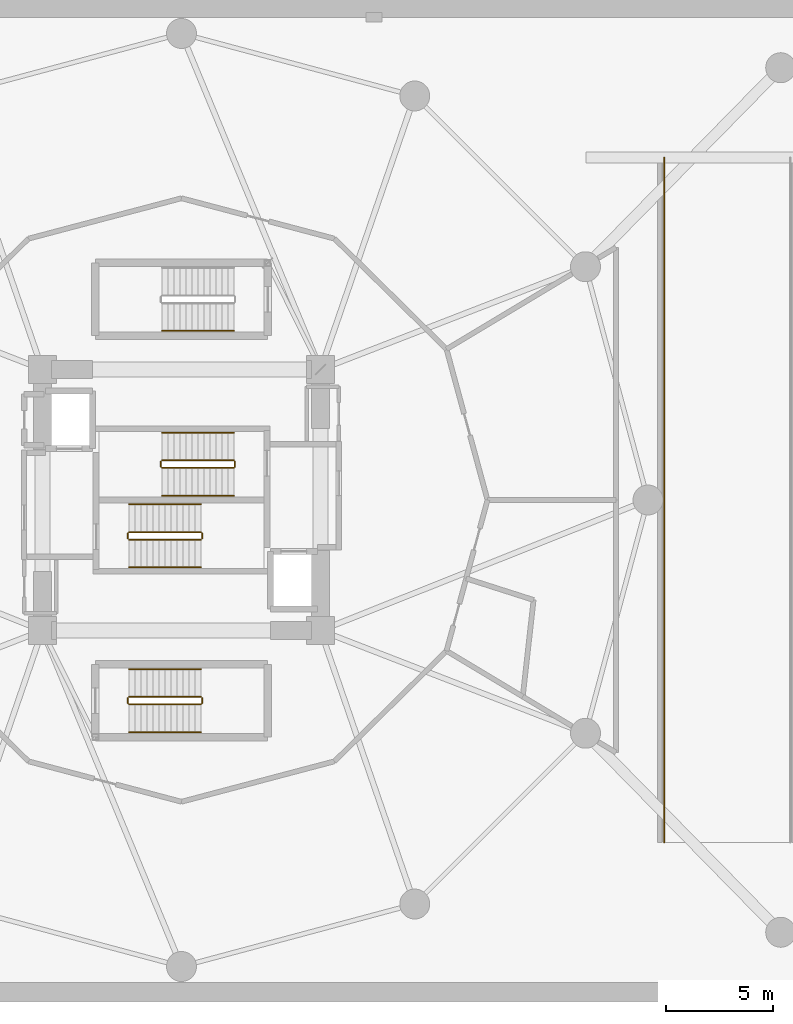
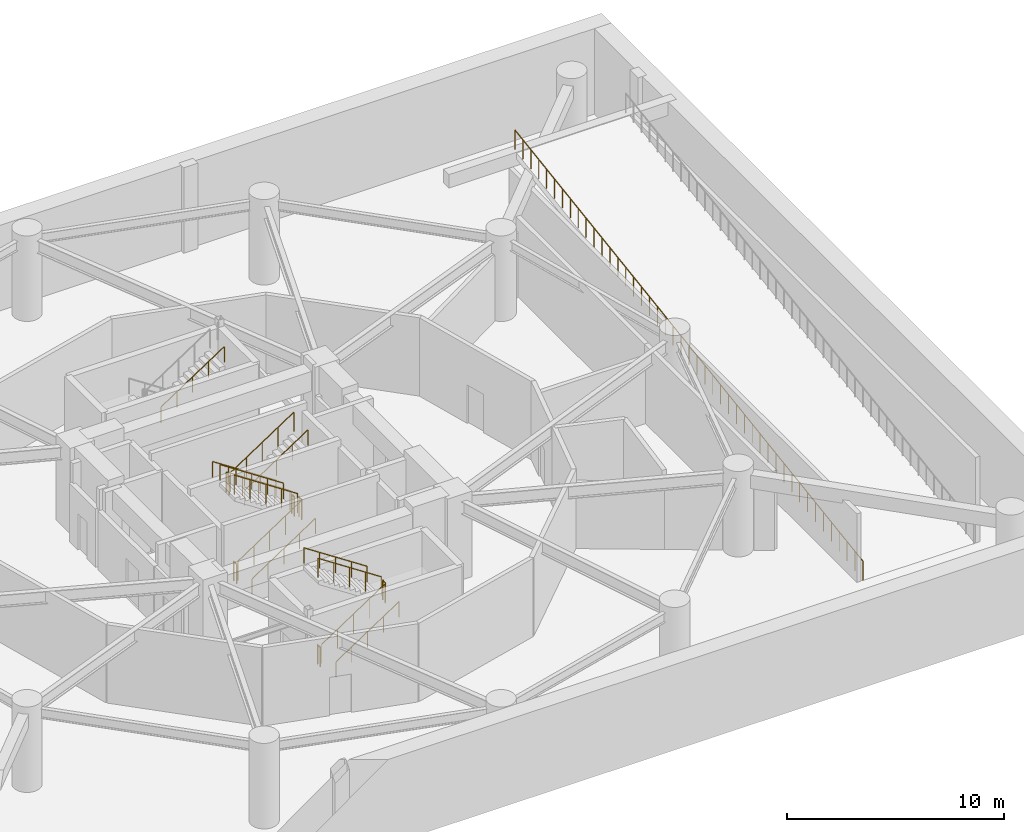
# One storey, part 9 of 10: 20 railings.
"""IFC4 building model written with IfcOpenShell, lengths in metres."""

from ifc_helpers import new_model, si_unit, direction, frame, origin, origin_2d, place, context, subcontext, project, spatial, circle, extrude, material, type_object, element, save


model = new_model("IFC4")

# Units and contexts
model_context = context("Model", 3, precision=1e-05, world=origin(), true_north=direction((0.0, 1.0)))
body_context = subcontext(model_context, "Body", "Model", "MODEL_VIEW")
ifc_project = project(units=[si_unit("LENGTHUNIT", "METRE"), si_unit("AREAUNIT", "SQUARE_METRE"), si_unit("VOLUMEUNIT", "CUBIC_METRE"), si_unit("PLANEANGLEUNIT", "RADIAN"), si_unit("MASSUNIT", "GRAM", prefix="KILO")], contexts=[model_context])

# Site, building, storey
site_placement = place(None, origin())
site = spatial("IfcSite", under=ifc_project, at=site_placement, CompositionType="ELEMENT")
building_placement = place(site_placement, origin())
building = spatial("IfcBuilding", under=site, at=building_placement, Name="Solvirekh Grand Hotel", CompositionType="ELEMENT")
storey_placement = place(building_placement, frame((0.0, 0.0, -4.800048828125)))
storey = spatial("IfcBuildingStorey", under=building, at=storey_placement, Name="B01", CompositionType="ELEMENT", Elevation=-4.800048828125)

# Railings
ifc_material_1 = material(Name="Steel S355", Category="steel")
railing_type_1 = type_object("IfcRailingType", Name="Guard_Stair_1100", PredefinedType="GUARDRAIL", material=ifc_material_1)
railing_1_placement = place(storey_placement, frame((22.56005859375, -16.0, 0.0)))
element("IfcRailing", 1, at=railing_1_placement, inside=storey, type_object=railing_type_1, Name="B01 vehicle ramp R2 W edge safety guardrail", PredefinedType="GUARDRAIL", context=body_context, shape_type="SweptSolid", body=[
    extrude(circle(Radius=0.02392578125, at=origin_2d()), frame((0.0, 0.0, 1.076171875), z_axis=(0.0, 0.988935024618, 0.148349307663), x_axis=(-1.0, 0.0, 0.0)), (0.0, 0.0, 1.0), 16.178955078125),
    extrude(circle(Radius=0.02392578125, at=origin_2d()), frame((0.0, 16.0, 3.47607421875), z_axis=(0.0, 0.988937238327, 0.148334549755), x_axis=(-1.0, 0.0, 0.0)), (0.0, 0.0, 1.0), 16.178955078125),
    extrude(circle(Radius=0.02099609375, at=origin_2d()), origin(), (0.0, 0.0, 1.0), 1.052001953125),
    extrude(circle(Radius=0.02099609375, at=origin_2d()), frame((0.0, 0.727294921875, 0.109130859375)), (0.0, 0.0, 1.0), 1.052001953125),
    extrude(circle(Radius=0.02099609375, at=origin_2d()), frame((0.0, 1.45458984375, 0.21826171875)), (0.0, 0.0, 1.0), 1.052001953125),
    extrude(circle(Radius=0.02099609375, at=origin_2d()), frame((0.0, 2.181884765625, 0.327392578125)), (0.0, 0.0, 1.0), 1.052001953125),
    extrude(circle(Radius=0.02099609375, at=origin_2d()), frame((0.0, 2.9091796875, 0.436279296875)), (0.0, 0.0, 1.0), 1.052001953125),
    extrude(circle(Radius=0.02099609375, at=origin_2d()), frame((0.0, 3.636474609375, 0.54541015625)), (0.0, 0.0, 1.0), 1.052001953125),
    extrude(circle(Radius=0.02099609375, at=origin_2d()), frame((0.0, 4.363525390625, 0.654541015625)), (0.0, 0.0, 1.0), 1.052001953125),
    extrude(circle(Radius=0.02099609375, at=origin_2d()), frame((0.0, 5.0908203125, 0.763671875)), (0.0, 0.0, 1.0), 1.052001953125),
    extrude(circle(Radius=0.02099609375, at=origin_2d()), frame((0.0, 5.818115234375, 0.872802734375)), (0.0, 0.0, 1.0), 1.052001953125),
    extrude(circle(Radius=0.02099609375, at=origin_2d()), frame((0.0, 6.54541015625, 0.98193359375)), (0.0, 0.0, 1.0), 1.052001953125),
    extrude(circle(Radius=0.02099609375, at=origin_2d()), frame((0.0, 7.272705078125, 1.091064453125)), (0.0, 0.0, 1.0), 1.052001953125),
    extrude(circle(Radius=0.02099609375, at=origin_2d()), frame((0.0, 8.0, 1.2001953125)), (0.0, 0.0, 1.0), 1.052001953125),
    extrude(circle(Radius=0.02099609375, at=origin_2d()), frame((0.0, 8.727294921875, 1.30908203125)), (0.0, 0.0, 1.0), 1.052001953125),
    extrude(circle(Radius=0.02099609375, at=origin_2d()), frame((0.0, 9.45458984375, 1.418212890625)), (0.0, 0.0, 1.0), 1.052001953125),
    extrude(circle(Radius=0.02099609375, at=origin_2d()), frame((0.0, 10.181884765625, 1.52734375)), (0.0, 0.0, 1.0), 1.052001953125),
    extrude(circle(Radius=0.02099609375, at=origin_2d()), frame((0.0, 10.9091796875, 1.636474609375)), (0.0, 0.0, 1.0), 1.052001953125),
    extrude(circle(Radius=0.02099609375, at=origin_2d()), frame((0.0, 11.636474609375, 1.74560546875)), (0.0, 0.0, 1.0), 1.052001953125),
    extrude(circle(Radius=0.02099609375, at=origin_2d()), frame((0.0, 12.363525390625, 1.854736328125)), (0.0, 0.0, 1.0), 1.052001953125),
    extrude(circle(Radius=0.02099609375, at=origin_2d()), frame((0.0, 13.0908203125, 1.9638671875)), (0.0, 0.0, 1.0), 1.052001953125),
    extrude(circle(Radius=0.02099609375, at=origin_2d()), frame((0.0, 13.818115234375, 2.07275390625)), (0.0, 0.0, 1.0), 1.052001953125),
    extrude(circle(Radius=0.02099609375, at=origin_2d()), frame((0.0, 14.54541015625, 2.181884765625)), (0.0, 0.0, 1.0), 1.052001953125),
    extrude(circle(Radius=0.02099609375, at=origin_2d()), frame((0.0, 15.272705078125, 2.291015625)), (0.0, 0.0, 1.0), 1.052001953125),
    extrude(circle(Radius=0.02099609375, at=origin_2d()), frame((0.0, 16.0, 2.400146484375)), (0.0, 0.0, 1.0), 1.052001953125),
    extrude(circle(Radius=0.02099609375, at=origin_2d()), frame((0.0, 16.727294921875, 2.50927734375)), (0.0, 0.0, 1.0), 1.052001953125),
    extrude(circle(Radius=0.02099609375, at=origin_2d()), frame((0.0, 17.45458984375, 2.618408203125)), (0.0, 0.0, 1.0), 1.052001953125),
    extrude(circle(Radius=0.02099609375, at=origin_2d()), frame((0.0, 18.181884765625, 2.727294921875)), (0.0, 0.0, 1.0), 1.052001953125),
    extrude(circle(Radius=0.02099609375, at=origin_2d()), frame((0.0, 18.9091796875, 2.83642578125)), (0.0, 0.0, 1.0), 1.052001953125),
    extrude(circle(Radius=0.02099609375, at=origin_2d()), frame((0.0, 19.636474609375, 2.945556640625)), (0.0, 0.0, 1.0), 1.052001953125),
    extrude(circle(Radius=0.02099609375, at=origin_2d()), frame((0.0, 20.363525390625, 3.0546875)), (0.0, 0.0, 1.0), 1.052001953125),
    extrude(circle(Radius=0.02099609375, at=origin_2d()), frame((0.0, 21.0908203125, 3.163818359375)), (0.0, 0.0, 1.0), 1.052001953125),
    extrude(circle(Radius=0.02099609375, at=origin_2d()), frame((0.0, 21.818115234375, 3.27294921875)), (0.0, 0.0, 1.0), 1.052001953125),
    extrude(circle(Radius=0.02099609375, at=origin_2d()), frame((0.0, 22.54541015625, 3.3818359375)), (0.0, 0.0, 1.0), 1.052001953125),
    extrude(circle(Radius=0.02099609375, at=origin_2d()), frame((0.0, 23.272705078125, 3.490966796875)), (0.0, 0.0, 1.0), 1.052001953125),
    extrude(circle(Radius=0.02099609375, at=origin_2d()), frame((0.0, 24.0, 3.60009765625)), (0.0, 0.0, 1.0), 1.052001953125),
    extrude(circle(Radius=0.02099609375, at=origin_2d()), frame((0.0, 24.727294921875, 3.709228515625)), (0.0, 0.0, 1.0), 1.052001953125),
    extrude(circle(Radius=0.02099609375, at=origin_2d()), frame((0.0, 25.45458984375, 3.818359375)), (0.0, 0.0, 1.0), 1.052001953125),
    extrude(circle(Radius=0.02099609375, at=origin_2d()), frame((0.0, 26.181884765625, 3.92724609375)), (0.0, 0.0, 1.0), 1.052001953125),
    extrude(circle(Radius=0.02099609375, at=origin_2d()), frame((0.0, 26.9091796875, 4.036376953125)), (0.0, 0.0, 1.0), 1.052001953125),
    extrude(circle(Radius=0.02099609375, at=origin_2d()), frame((0.0, 27.636474609375, 4.1455078125)), (0.0, 0.0, 1.0), 1.052001953125),
    extrude(circle(Radius=0.02099609375, at=origin_2d()), frame((0.0, 28.363525390625, 4.254638671875)), (0.0, 0.0, 1.0), 1.052001953125),
    extrude(circle(Radius=0.02099609375, at=origin_2d()), frame((0.0, 29.0908203125, 4.36376953125)), (0.0, 0.0, 1.0), 1.052001953125),
    extrude(circle(Radius=0.02099609375, at=origin_2d()), frame((0.0, 29.818115234375, 4.472900390625)), (0.0, 0.0, 1.0), 1.052001953125),
    extrude(circle(Radius=0.02099609375, at=origin_2d()), frame((0.0, 30.54541015625, 4.581787109375)), (0.0, 0.0, 1.0), 1.052001953125),
    extrude(circle(Radius=0.02099609375, at=origin_2d()), frame((0.0, 31.272705078125, 4.69091796875)), (0.0, 0.0, 1.0), 1.052001953125),
    extrude(circle(Radius=0.02099609375, at=origin_2d()), frame((0.0, 32.0, 4.800048828125)), (0.0, 0.0, 1.0), 1.052001953125),
])
railing_2_placement = place(storey_placement, frame((-2.449951171875, -1.85009765625, 0.1845703125)))
element("IfcRailing", 2, at=railing_2_placement, inside=storey, type_object=railing_type_1, Name="B01 ST-1 stair guard 1", PredefinedType="GUARDRAIL", context=body_context, shape_type="SweptSolid", body=[
    extrude(circle(Radius=0.02392578125, at=origin_2d()), frame((0.0, 0.0, 1.076171875), z_axis=(0.83483021737, 0.0, 0.550507500554), x_axis=(0.0, 1.0, 0.0)), (0.0, 0.0, 1.0), 4.024658203125),
    extrude(circle(Radius=0.02099609375, at=origin_2d()), origin(), (0.0, 0.0, 1.0), 1.052001953125),
    extrude(circle(Radius=0.02099609375, at=origin_2d()), frame((0.83984375, 0.0, 0.553955078125)), (0.0, 0.0, 1.0), 1.052001953125),
    extrude(circle(Radius=0.02099609375, at=origin_2d()), frame((1.679931640625, 0.0, 1.10791015625)), (0.0, 0.0, 1.0), 1.052001953125),
    extrude(circle(Radius=0.02099609375, at=origin_2d()), frame((2.52001953125, 0.0, 1.66162109375)), (0.0, 0.0, 1.0), 1.052001953125),
    extrude(circle(Radius=0.02099609375, at=origin_2d()), frame((3.35986328125, 0.0, 2.215576171875)), (0.0, 0.0, 1.0), 1.052001953125),
])
railing_3_placement = place(storey_placement, frame((0.9599609375, -1.800048828125, 2.400146484375)))
element("IfcRailing", 3, at=railing_3_placement, inside=storey, type_object=railing_type_1, Name="B01 ST-1 stair guard 2", PredefinedType="GUARDRAIL", context=body_context, shape_type="SweptSolid", body=[
    extrude(circle(Radius=0.02392578125, at=origin_2d()), frame((0.0, 0.0, 1.076171875), z_axis=(0.0, 1.0, 0.0), x_axis=(-1.0, 0.0, 0.0)), (0.0, 0.0, 1.0), 0.25),
    extrude(circle(Radius=0.02099609375, at=origin_2d()), origin(), (0.0, 0.0, 1.0), 1.052001953125),
    extrude(circle(Radius=0.02099609375, at=origin_2d()), frame((0.0, 0.25, 0.0)), (0.0, 0.0, 1.0), 1.052001953125),
])
railing_4_placement = place(storey_placement, frame((0.909912109375, -1.5, 2.584716796875)))
element("IfcRailing", 4, at=railing_4_placement, inside=storey, type_object=railing_type_1, Name="B01 ST-1 stair guard 3", PredefinedType="GUARDRAIL", context=body_context, shape_type="SweptSolid", body=[
    extrude(circle(Radius=0.02392578125, at=origin_2d()), frame((0.0, 0.0, 1.076171875), z_axis=(-0.834858096282, 0.0, 0.550465220583), x_axis=(0.0, -1.0, 0.0)), (0.0, 0.0, 1.0), 4.0244140625),
    extrude(circle(Radius=0.02099609375, at=origin_2d()), origin(), (0.0, 0.0, 1.0), 1.052001953125),
    extrude(circle(Radius=0.02099609375, at=origin_2d()), frame((-0.83984375, 0.0, 0.5537109375)), (0.0, 0.0, 1.0), 1.052001953125),
    extrude(circle(Radius=0.02099609375, at=origin_2d()), frame((-1.679931640625, 0.0, 1.107666015625)), (0.0, 0.0, 1.0), 1.052001953125),
    extrude(circle(Radius=0.02099609375, at=origin_2d()), frame((-2.52001953125, 0.0, 1.66162109375)), (0.0, 0.0, 1.0), 1.052001953125),
    extrude(circle(Radius=0.02099609375, at=origin_2d()), frame((-3.35986328125, 0.0, 2.21533203125)), (0.0, 0.0, 1.0), 1.052001953125),
])
railing_5_placement = place(storey_placement, frame((-2.5, -1.800048828125, 0.0)))
element("IfcRailing", 5, at=railing_5_placement, inside=storey, type_object=railing_type_1, Name="B01 ST-1 stair guard 4", PredefinedType="GUARDRAIL", context=body_context, shape_type="SweptSolid", body=[
    extrude(circle(Radius=0.02392578125, at=origin_2d()), frame((0.0, 0.0, 1.076171875), z_axis=(0.0, 1.0, 0.0), x_axis=(-1.0, 0.0, 0.0)), (0.0, 0.0, 1.0), 0.25),
    extrude(circle(Radius=0.02099609375, at=origin_2d()), origin(), (0.0, 0.0, 1.0), 1.052001953125),
    extrude(circle(Radius=0.02099609375, at=origin_2d()), frame((0.0, 0.25, 0.0)), (0.0, 0.0, 1.0), 1.052001953125),
])
railing_6_placement = place(storey_placement, frame((2.449951171875, 1.85009765625, 0.1845703125)))
element("IfcRailing", 6, at=railing_6_placement, inside=storey, type_object=railing_type_1, Name="B01 ST-2 stair guard 1", PredefinedType="GUARDRAIL", context=body_context, shape_type="SweptSolid", body=[
    extrude(circle(Radius=0.02392578125, at=origin_2d()), frame((0.0, 0.0, 1.076171875), z_axis=(-0.83483021737, 0.0, 0.550507500554), x_axis=(0.0, -1.0, 0.0)), (0.0, 0.0, 1.0), 4.024658203125),
    extrude(circle(Radius=0.02099609375, at=origin_2d()), origin(), (0.0, 0.0, 1.0), 1.052001953125),
    extrude(circle(Radius=0.02099609375, at=origin_2d()), frame((-0.83984375, 0.0, 0.553955078125)), (0.0, 0.0, 1.0), 1.052001953125),
    extrude(circle(Radius=0.02099609375, at=origin_2d()), frame((-1.679931640625, 0.0, 1.10791015625)), (0.0, 0.0, 1.0), 1.052001953125),
    extrude(circle(Radius=0.02099609375, at=origin_2d()), frame((-2.52001953125, 0.0, 1.66162109375)), (0.0, 0.0, 1.0), 1.052001953125),
    extrude(circle(Radius=0.02099609375, at=origin_2d()), frame((-3.35986328125, 0.0, 2.215576171875)), (0.0, 0.0, 1.0), 1.052001953125),
])
railing_7_placement = place(storey_placement, frame((-0.9599609375, 1.800048828125, 2.400146484375)))
element("IfcRailing", 7, at=railing_7_placement, inside=storey, type_object=railing_type_1, Name="B01 ST-2 stair guard 2", PredefinedType="GUARDRAIL", context=body_context, shape_type="SweptSolid", body=[
    extrude(circle(Radius=0.02392578125, at=origin_2d()), frame((0.0, 0.0, 1.076171875), z_axis=(0.0, -1.0, 0.0), x_axis=(1.0, 0.0, 0.0)), (0.0, 0.0, 1.0), 0.25),
    extrude(circle(Radius=0.02099609375, at=origin_2d()), origin(), (0.0, 0.0, 1.0), 1.052001953125),
    extrude(circle(Radius=0.02099609375, at=origin_2d()), frame((0.0, -0.25, 0.0)), (0.0, 0.0, 1.0), 1.052001953125),
])
railing_8_placement = place(storey_placement, frame((-0.909912109375, 1.5, 2.584716796875)))
element("IfcRailing", 8, at=railing_8_placement, inside=storey, type_object=railing_type_1, Name="B01 ST-2 stair guard 3", PredefinedType="GUARDRAIL", context=body_context, shape_type="SweptSolid", body=[
    extrude(circle(Radius=0.02392578125, at=origin_2d()), frame((0.0, 0.0, 1.076171875), z_axis=(0.834858096282, 0.0, 0.550465220583), x_axis=(0.0, 1.0, 0.0)), (0.0, 0.0, 1.0), 4.0244140625),
    extrude(circle(Radius=0.02099609375, at=origin_2d()), origin(), (0.0, 0.0, 1.0), 1.052001953125),
    extrude(circle(Radius=0.02099609375, at=origin_2d()), frame((0.83984375, 0.0, 0.5537109375)), (0.0, 0.0, 1.0), 1.052001953125),
    extrude(circle(Radius=0.02099609375, at=origin_2d()), frame((1.679931640625, 0.0, 1.107666015625)), (0.0, 0.0, 1.0), 1.052001953125),
    extrude(circle(Radius=0.02099609375, at=origin_2d()), frame((2.52001953125, 0.0, 1.66162109375)), (0.0, 0.0, 1.0), 1.052001953125),
    extrude(circle(Radius=0.02099609375, at=origin_2d()), frame((3.35986328125, 0.0, 2.21533203125)), (0.0, 0.0, 1.0), 1.052001953125),
])
railing_9_placement = place(storey_placement, frame((2.5, 1.800048828125, 0.0)))
element("IfcRailing", 9, at=railing_9_placement, inside=storey, type_object=railing_type_1, Name="B01 ST-2 stair guard 4", PredefinedType="GUARDRAIL", context=body_context, shape_type="SweptSolid", body=[
    extrude(circle(Radius=0.02392578125, at=origin_2d()), frame((0.0, 0.0, 1.076171875), z_axis=(0.0, -1.0, 0.0), x_axis=(1.0, 0.0, 0.0)), (0.0, 0.0, 1.0), 0.25),
    extrude(circle(Radius=0.02099609375, at=origin_2d()), origin(), (0.0, 0.0, 1.0), 1.052001953125),
    extrude(circle(Radius=0.02099609375, at=origin_2d()), frame((0.0, -0.25, 0.0)), (0.0, 0.0, 1.0), 1.052001953125),
])
railing_10_placement = place(storey_placement, frame((-2.449951171875, -9.550048828125, 0.1845703125)))
element("IfcRailing", 10, at=railing_10_placement, inside=storey, type_object=railing_type_1, Name="B01 ST-3 stair guard 1", PredefinedType="GUARDRAIL", context=body_context, shape_type="SweptSolid", body=[
    extrude(circle(Radius=0.02392578125, at=origin_2d()), frame((0.0, 0.0, 1.076171875), z_axis=(0.83483021737, 0.0, 0.550507500554), x_axis=(0.0, 1.0, 0.0)), (0.0, 0.0, 1.0), 4.024658203125),
    extrude(circle(Radius=0.02099609375, at=origin_2d()), origin(), (0.0, 0.0, 1.0), 1.052001953125),
    extrude(circle(Radius=0.02099609375, at=origin_2d()), frame((0.83984375, 0.0, 0.553955078125)), (0.0, 0.0, 1.0), 1.052001953125),
    extrude(circle(Radius=0.02099609375, at=origin_2d()), frame((1.679931640625, 0.0, 1.10791015625)), (0.0, 0.0, 1.0), 1.052001953125),
    extrude(circle(Radius=0.02099609375, at=origin_2d()), frame((2.52001953125, 0.0, 1.66162109375)), (0.0, 0.0, 1.0), 1.052001953125),
    extrude(circle(Radius=0.02099609375, at=origin_2d()), frame((3.35986328125, 0.0, 2.215576171875)), (0.0, 0.0, 1.0), 1.052001953125),
])
railing_11_placement = place(storey_placement, frame((0.9599609375, -9.5, 2.400146484375)))
element("IfcRailing", 11, at=railing_11_placement, inside=storey, type_object=railing_type_1, Name="B01 ST-3 stair guard 2", PredefinedType="GUARDRAIL", context=body_context, shape_type="SweptSolid", body=[
    extrude(circle(Radius=0.02392578125, at=origin_2d()), frame((0.0, 0.0, 1.076171875), z_axis=(0.0, 1.0, 0.0), x_axis=(-1.0, 0.0, 0.0)), (0.0, 0.0, 1.0), 0.25),
    extrude(circle(Radius=0.02099609375, at=origin_2d()), origin(), (0.0, 0.0, 1.0), 1.052001953125),
    extrude(circle(Radius=0.02099609375, at=origin_2d()), frame((0.0, 0.25, 0.0)), (0.0, 0.0, 1.0), 1.052001953125),
])
railing_12_placement = place(storey_placement, frame((0.909912109375, -9.199951171875, 2.584716796875)))
element("IfcRailing", 12, at=railing_12_placement, inside=storey, type_object=railing_type_1, Name="B01 ST-3 stair guard 3", PredefinedType="GUARDRAIL", context=body_context, shape_type="SweptSolid", body=[
    extrude(circle(Radius=0.02392578125, at=origin_2d()), frame((0.0, 0.0, 1.076171875), z_axis=(-0.834858096282, 0.0, 0.550465220583), x_axis=(0.0, -1.0, 0.0)), (0.0, 0.0, 1.0), 4.0244140625),
    extrude(circle(Radius=0.02099609375, at=origin_2d()), origin(), (0.0, 0.0, 1.0), 1.052001953125),
    extrude(circle(Radius=0.02099609375, at=origin_2d()), frame((-0.83984375, 0.0, 0.5537109375)), (0.0, 0.0, 1.0), 1.052001953125),
    extrude(circle(Radius=0.02099609375, at=origin_2d()), frame((-1.679931640625, 0.0, 1.107666015625)), (0.0, 0.0, 1.0), 1.052001953125),
    extrude(circle(Radius=0.02099609375, at=origin_2d()), frame((-2.52001953125, 0.0, 1.66162109375)), (0.0, 0.0, 1.0), 1.052001953125),
    extrude(circle(Radius=0.02099609375, at=origin_2d()), frame((-3.35986328125, 0.0, 2.21533203125)), (0.0, 0.0, 1.0), 1.052001953125),
])
railing_13_placement = place(storey_placement, frame((-2.5, -9.5, 0.0)))
element("IfcRailing", 13, at=railing_13_placement, inside=storey, type_object=railing_type_1, Name="B01 ST-3 stair guard 4", PredefinedType="GUARDRAIL", context=body_context, shape_type="SweptSolid", body=[
    extrude(circle(Radius=0.02392578125, at=origin_2d()), frame((0.0, 0.0, 1.076171875), z_axis=(0.0, 1.0, 0.0), x_axis=(-1.0, 0.0, 0.0)), (0.0, 0.0, 1.0), 0.25),
    extrude(circle(Radius=0.02099609375, at=origin_2d()), origin(), (0.0, 0.0, 1.0), 1.052001953125),
    extrude(circle(Radius=0.02099609375, at=origin_2d()), frame((0.0, 0.25, 0.0)), (0.0, 0.0, 1.0), 1.052001953125),
])
ifc_material_2 = material(Name="Anodized Bronze Aluminium 6063-T6", Category="aluminium")
railing_type_2 = type_object("IfcRailingType", Name="Handrail_Wall_900", PredefinedType="HANDRAIL", material=ifc_material_2)
railing_14_placement = place(storey_placement, frame((-2.449951171875, -3.14990234375, 0.1845703125)))
element("IfcRailing", 14, at=railing_14_placement, inside=storey, type_object=railing_type_2, Name="B01 ST-1 stair handrail 1", PredefinedType="HANDRAIL", context=body_context, shape_type="SweptSolid", body=[
    extrude(circle(Radius=0.02392578125, at=origin_2d()), frame((0.0, 0.0, 0.8759765625), z_axis=(0.83483021737, 0.0, 0.550507500554), x_axis=(0.0, 1.0, 0.0)), (0.0, 0.0, 1.0), 4.024658203125),
    extrude(circle(Radius=0.02099609375, at=origin_2d()), origin(), (0.0, 0.0, 1.0), 0.851806640625),
    extrude(circle(Radius=0.02099609375, at=origin_2d()), frame((0.83984375, 0.0, 0.553955078125)), (0.0, 0.0, 1.0), 0.851806640625),
    extrude(circle(Radius=0.02099609375, at=origin_2d()), frame((1.679931640625, 0.0, 1.10791015625)), (0.0, 0.0, 1.0), 0.851806640625),
    extrude(circle(Radius=0.02099609375, at=origin_2d()), frame((2.52001953125, 0.0, 1.66162109375)), (0.0, 0.0, 1.0), 0.851806640625),
    extrude(circle(Radius=0.02099609375, at=origin_2d()), frame((3.35986328125, 0.0, 2.215576171875)), (0.0, 0.0, 1.0), 0.851806640625),
])
railing_15_placement = place(storey_placement, frame((0.909912109375, -0.199951171875, 2.584716796875)))
element("IfcRailing", 15, at=railing_15_placement, inside=storey, type_object=railing_type_2, Name="B01 ST-1 stair handrail 2", PredefinedType="HANDRAIL", context=body_context, shape_type="SweptSolid", body=[
    extrude(circle(Radius=0.02392578125, at=origin_2d()), frame((0.0, 0.0, 0.8759765625), z_axis=(-0.834858096282, 0.0, 0.550465220583), x_axis=(0.0, -1.0, 0.0)), (0.0, 0.0, 1.0), 4.0244140625),
    extrude(circle(Radius=0.02099609375, at=origin_2d()), origin(), (0.0, 0.0, 1.0), 0.851806640625),
    extrude(circle(Radius=0.02099609375, at=origin_2d()), frame((-0.83984375, 0.0, 0.5537109375)), (0.0, 0.0, 1.0), 0.851806640625),
    extrude(circle(Radius=0.02099609375, at=origin_2d()), frame((-1.679931640625, 0.0, 1.107666015625)), (0.0, 0.0, 1.0), 0.851806640625),
    extrude(circle(Radius=0.02099609375, at=origin_2d()), frame((-2.52001953125, 0.0, 1.66162109375)), (0.0, 0.0, 1.0), 0.851806640625),
    extrude(circle(Radius=0.02099609375, at=origin_2d()), frame((-3.35986328125, 0.0, 2.21533203125)), (0.0, 0.0, 1.0), 0.851806640625),
])
railing_16_placement = place(storey_placement, frame((2.449951171875, 3.14990234375, 0.1845703125)))
element("IfcRailing", 16, at=railing_16_placement, inside=storey, type_object=railing_type_2, Name="B01 ST-2 stair handrail 1", PredefinedType="HANDRAIL", context=body_context, shape_type="SweptSolid", body=[
    extrude(circle(Radius=0.02392578125, at=origin_2d()), frame((0.0, 0.0, 0.8759765625), z_axis=(-0.83483021737, 0.0, 0.550507500554), x_axis=(0.0, -1.0, 0.0)), (0.0, 0.0, 1.0), 4.024658203125),
    extrude(circle(Radius=0.02099609375, at=origin_2d()), origin(), (0.0, 0.0, 1.0), 0.851806640625),
    extrude(circle(Radius=0.02099609375, at=origin_2d()), frame((-0.83984375, 0.0, 0.553955078125)), (0.0, 0.0, 1.0), 0.851806640625),
    extrude(circle(Radius=0.02099609375, at=origin_2d()), frame((-1.679931640625, 0.0, 1.10791015625)), (0.0, 0.0, 1.0), 0.851806640625),
    extrude(circle(Radius=0.02099609375, at=origin_2d()), frame((-2.52001953125, 0.0, 1.66162109375)), (0.0, 0.0, 1.0), 0.851806640625),
    extrude(circle(Radius=0.02099609375, at=origin_2d()), frame((-3.35986328125, 0.0, 2.215576171875)), (0.0, 0.0, 1.0), 0.851806640625),
])
railing_17_placement = place(storey_placement, frame((-0.909912109375, 0.199951171875, 2.584716796875)))
element("IfcRailing", 17, at=railing_17_placement, inside=storey, type_object=railing_type_2, Name="B01 ST-2 stair handrail 2", PredefinedType="HANDRAIL", context=body_context, shape_type="SweptSolid", body=[
    extrude(circle(Radius=0.02392578125, at=origin_2d()), frame((0.0, 0.0, 0.8759765625), z_axis=(0.834858096282, 0.0, 0.550465220583), x_axis=(0.0, 1.0, 0.0)), (0.0, 0.0, 1.0), 4.0244140625),
    extrude(circle(Radius=0.02099609375, at=origin_2d()), origin(), (0.0, 0.0, 1.0), 0.851806640625),
    extrude(circle(Radius=0.02099609375, at=origin_2d()), frame((0.83984375, 0.0, 0.5537109375)), (0.0, 0.0, 1.0), 0.851806640625),
    extrude(circle(Radius=0.02099609375, at=origin_2d()), frame((1.679931640625, 0.0, 1.107666015625)), (0.0, 0.0, 1.0), 0.851806640625),
    extrude(circle(Radius=0.02099609375, at=origin_2d()), frame((2.52001953125, 0.0, 1.66162109375)), (0.0, 0.0, 1.0), 0.851806640625),
    extrude(circle(Radius=0.02099609375, at=origin_2d()), frame((3.35986328125, 0.0, 2.21533203125)), (0.0, 0.0, 1.0), 0.851806640625),
])
railing_18_placement = place(storey_placement, frame((-2.449951171875, -10.85009765625, 0.1845703125)))
element("IfcRailing", 18, at=railing_18_placement, inside=storey, type_object=railing_type_2, Name="B01 ST-3 stair handrail 1", PredefinedType="HANDRAIL", context=body_context, shape_type="SweptSolid", body=[
    extrude(circle(Radius=0.02392578125, at=origin_2d()), frame((0.0, 0.0, 0.8759765625), z_axis=(0.83483021737, 0.0, 0.550507500554), x_axis=(0.0, 1.0, 0.0)), (0.0, 0.0, 1.0), 4.024658203125),
    extrude(circle(Radius=0.02099609375, at=origin_2d()), origin(), (0.0, 0.0, 1.0), 0.851806640625),
    extrude(circle(Radius=0.02099609375, at=origin_2d()), frame((0.83984375, 0.0, 0.553955078125)), (0.0, 0.0, 1.0), 0.851806640625),
    extrude(circle(Radius=0.02099609375, at=origin_2d()), frame((1.679931640625, 0.0, 1.10791015625)), (0.0, 0.0, 1.0), 0.851806640625),
    extrude(circle(Radius=0.02099609375, at=origin_2d()), frame((2.52001953125, 0.0, 1.66162109375)), (0.0, 0.0, 1.0), 0.851806640625),
    extrude(circle(Radius=0.02099609375, at=origin_2d()), frame((3.35986328125, 0.0, 2.215576171875)), (0.0, 0.0, 1.0), 0.851806640625),
])
railing_19_placement = place(storey_placement, frame((0.909912109375, -7.89990234375, 2.584716796875)))
element("IfcRailing", 19, at=railing_19_placement, inside=storey, type_object=railing_type_2, Name="B01 ST-3 stair handrail 2", PredefinedType="HANDRAIL", context=body_context, shape_type="SweptSolid", body=[
    extrude(circle(Radius=0.02392578125, at=origin_2d()), frame((0.0, 0.0, 0.8759765625), z_axis=(-0.834858096282, 0.0, 0.550465220583), x_axis=(0.0, -1.0, 0.0)), (0.0, 0.0, 1.0), 4.0244140625),
    extrude(circle(Radius=0.02099609375, at=origin_2d()), origin(), (0.0, 0.0, 1.0), 0.851806640625),
    extrude(circle(Radius=0.02099609375, at=origin_2d()), frame((-0.83984375, 0.0, 0.5537109375)), (0.0, 0.0, 1.0), 0.851806640625),
    extrude(circle(Radius=0.02099609375, at=origin_2d()), frame((-1.679931640625, 0.0, 1.107666015625)), (0.0, 0.0, 1.0), 0.851806640625),
    extrude(circle(Radius=0.02099609375, at=origin_2d()), frame((-2.52001953125, 0.0, 1.66162109375)), (0.0, 0.0, 1.0), 0.851806640625),
    extrude(circle(Radius=0.02099609375, at=origin_2d()), frame((-3.35986328125, 0.0, 2.21533203125)), (0.0, 0.0, 1.0), 0.851806640625),
])
railing_20_placement = place(storey_placement, frame((-0.909912109375, 7.89990234375, 2.584716796875)))
element("IfcRailing", 20, at=railing_20_placement, inside=storey, type_object=railing_type_2, Name="B01 ST-4 stair handrail 2", PredefinedType="HANDRAIL", context=body_context, shape_type="SweptSolid", body=[
    extrude(circle(Radius=0.02392578125, at=origin_2d()), frame((0.0, 0.0, 0.8759765625), z_axis=(0.834858096282, 0.0, 0.550465220583), x_axis=(0.0, 1.0, 0.0)), (0.0, 0.0, 1.0), 4.0244140625),
    extrude(circle(Radius=0.02099609375, at=origin_2d()), origin(), (0.0, 0.0, 1.0), 0.851806640625),
    extrude(circle(Radius=0.02099609375, at=origin_2d()), frame((0.83984375, 0.0, 0.5537109375)), (0.0, 0.0, 1.0), 0.851806640625),
    extrude(circle(Radius=0.02099609375, at=origin_2d()), frame((1.679931640625, 0.0, 1.107666015625)), (0.0, 0.0, 1.0), 0.851806640625),
    extrude(circle(Radius=0.02099609375, at=origin_2d()), frame((2.52001953125, 0.0, 1.66162109375)), (0.0, 0.0, 1.0), 0.851806640625),
    extrude(circle(Radius=0.02099609375, at=origin_2d()), frame((3.35986328125, 0.0, 2.21533203125)), (0.0, 0.0, 1.0), 0.851806640625),
])

save(model, "model.ifc")
